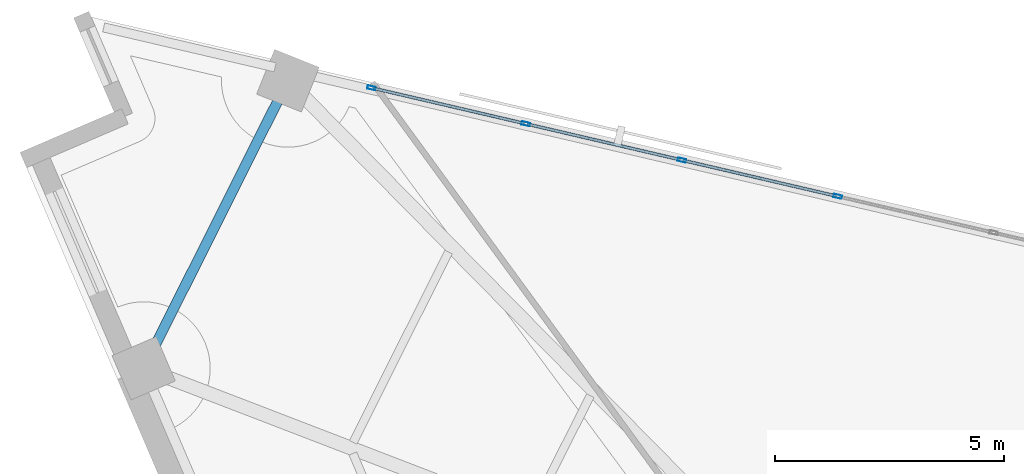
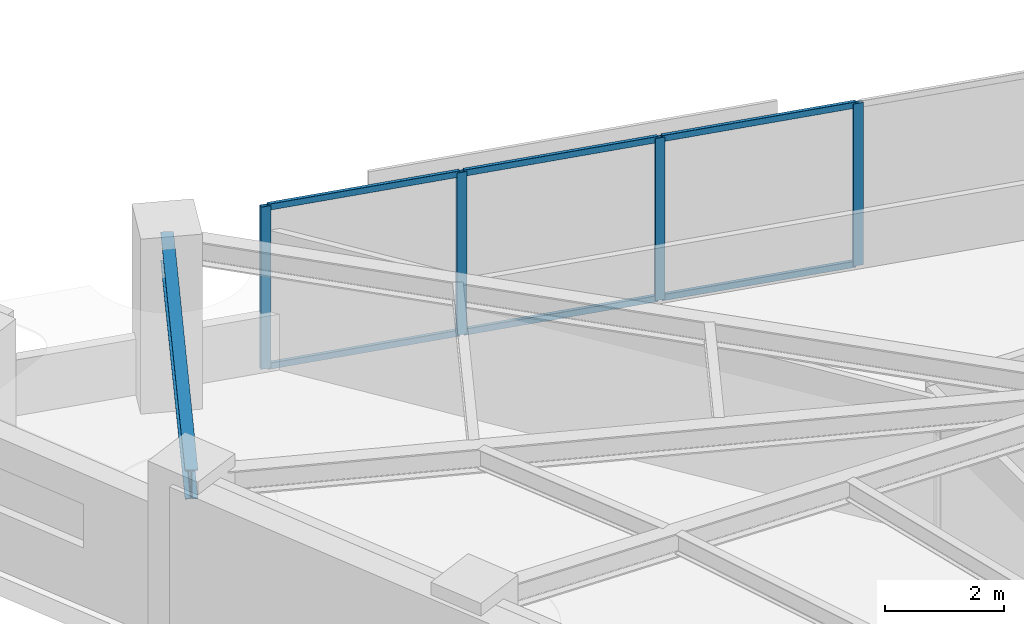
# One storey, part 6 of 13: 10 members, 1 beam, 1 element without a shape of its own.
"""IFC4 building model written with IfcOpenShell, lengths in metres."""

from ifc_helpers import new_model, si_unit, direction, frame, origin, origin_2d, place, context, subcontext, project, spatial, hollow_rectangle, i_section, extrude, material, material_profile, profile_set, type_object, element, aggregate, save


model = new_model("IFC4")

# Units and contexts
model_context = context("Model", 3, precision=1e-05, world=origin(), true_north=direction((0.0, 1.0)))
body_context = subcontext(model_context, "Body", "Model", "MODEL_VIEW")
ifc_project = project(units=[si_unit("LENGTHUNIT", "METRE"), si_unit("AREAUNIT", "SQUARE_METRE"), si_unit("VOLUMEUNIT", "CUBIC_METRE"), si_unit("PLANEANGLEUNIT", "RADIAN"), si_unit("MASSUNIT", "GRAM", prefix="KILO")], contexts=[model_context])

# Site, building, storey
site_placement = place(None, origin())
site = spatial("IfcSite", under=ifc_project, at=site_placement, CompositionType="ELEMENT")
building_placement = place(site_placement, origin())
building = spatial("IfcBuilding", under=site, at=building_placement, Name="Narakoshi Arena Tower", CompositionType="ELEMENT")
storey_placement = place(building_placement, frame((0.0, 0.0, 164.699951171875)))
storey = spatial("IfcBuildingStorey", under=building, at=storey_placement, Name="L44", CompositionType="ELEMENT", Elevation=164.699951171875)

# Beam
ifc_material_1 = material(Name="Structural steel S355J2", Category="steel")
ifc_material_profile_1 = material_profile(ifc_material_1, i_section(OverallWidth=0.219970703125, OverallDepth=0.60009765625, WebThickness=0.011962890625, FlangeThickness=0.01904296875, FilletRadius=0.02392578125, at=origin_2d()), Name="IPE600")
ifc_profile_set_1 = profile_set([ifc_material_profile_1], Name="Structural steel S355J2")
beam_type = type_object("IfcBeamType", Name="BM-EDGE-600", PredefinedType="BEAM", material=ifc_profile_set_1)
beam_placement = place(storey_placement, frame((60.12158203125, 68.55126953125, 3.0400390625), z_axis=(-0.448312643015, -0.893876822674, 0.0), x_axis=(0.893876822674, -0.448312643015, 0.0)))
element("IfcBeam", 1, at=beam_placement, inside=storey, type_object=beam_type, Name="L44 Perimeter Edge Girder 07", PredefinedType="BEAM", context=body_context, shape_type="SweptSolid", body=[
    extrude(i_section(OverallWidth=0.219970703125, OverallDepth=0.60009765625, WebThickness=0.011962890625, FlangeThickness=0.01904296875, FilletRadius=0.02392578125, at=origin_2d()), origin(), (0.0, 0.0, 1.0), 7.017333984375),
])

# Curtain wall, members
ifc_material_2 = material(Name="Anodised bronze aluminium 6063-T6", Category="aluminium")
curtain_wall_type = type_object("IfcCurtainWallType", Name="CW-HYP-MID", PredefinedType="NOTDEFINED", material=ifc_material_2)
curtain_wall_placement = place(storey_placement, origin())
curtain_wall = element("IfcCurtainWall", 2, at=curtain_wall_placement, inside=storey, type_object=curtain_wall_type, Name="L44 Folded Hypotenuse Curtain Wall 2-1", PredefinedType="NOTDEFINED")
ifc_material_profile_2 = material_profile(ifc_material_2, hollow_rectangle(XDim=0.074951171875, YDim=0.179931640625, WallThickness=0.00390625, OuterFilletRadius=0.0048828125, at=origin_2d()), Name="MUL180x75x4")
ifc_profile_set_2 = profile_set([ifc_material_profile_2], Name="Anodised bronze aluminium 6063-T6")
member_type_1 = type_object("IfcMemberType", Name="MEM-MUL-180", PredefinedType="MULLION", material=ifc_profile_set_2)
member_1_placement = place(storey_placement, frame((72.109619140625, 66.027587890625, 0.0), z_axis=(0.0, 0.0, 1.0), x_axis=(-0.226721182724, -0.973959704148, 0.0)))
member_1 = element("IfcMember", 3, at=member_1_placement, type_object=member_type_1, Name="CW-02 mullion 5", PredefinedType="MULLION", context=body_context, shape_type="SweptSolid", body=[
    extrude(hollow_rectangle(XDim=0.074951171875, YDim=0.179931640625, WallThickness=0.00390625, OuterFilletRadius=0.0048828125, at=origin_2d()), origin(), (0.0, 0.0, 1.0), 3.340087890625),
])
member_2_placement = place(storey_placement, frame((68.708740234375, 66.8193359375, 0.0), z_axis=(0.0, 0.0, 1.0), x_axis=(-0.226721182724, -0.973959704148, 0.0)))
member_2 = element("IfcMember", 4, at=member_2_placement, type_object=member_type_1, Name="CW-02 mullion 6", PredefinedType="MULLION", context=body_context, shape_type="SweptSolid", body=[
    extrude(hollow_rectangle(XDim=0.074951171875, YDim=0.179931640625, WallThickness=0.00390625, OuterFilletRadius=0.0048828125, at=origin_2d()), origin(), (0.0, 0.0, 1.0), 3.340087890625),
])
member_3_placement = place(storey_placement, frame((65.307861328125, 67.611083984375, 0.0), z_axis=(0.0, 0.0, 1.0), x_axis=(-0.226721182724, -0.973959704148, 0.0)))
member_3 = element("IfcMember", 5, at=member_3_placement, type_object=member_type_1, Name="CW-02 mullion 7", PredefinedType="MULLION", context=body_context, shape_type="SweptSolid", body=[
    extrude(hollow_rectangle(XDim=0.074951171875, YDim=0.179931640625, WallThickness=0.00390625, OuterFilletRadius=0.0048828125, at=origin_2d()), origin(), (0.0, 0.0, 1.0), 3.340087890625),
])
member_4_placement = place(storey_placement, frame((61.943359375, 68.394287109375, 0.0), z_axis=(0.0, 0.0, 1.0), x_axis=(-0.226721182724, -0.973959704148, 0.0)))
member_4 = element("IfcMember", 6, at=member_4_placement, type_object=member_type_1, Name="CW-02 mullion 8", PredefinedType="MULLION", context=body_context, shape_type="SweptSolid", body=[
    extrude(hollow_rectangle(XDim=0.074951171875, YDim=0.179931640625, WallThickness=0.00390625, OuterFilletRadius=0.0048828125, at=origin_2d()), origin(), (0.0, 0.0, 1.0), 3.340087890625),
])
ifc_material_profile_3 = material_profile(ifc_material_2, hollow_rectangle(XDim=0.06494140625, YDim=0.1298828125, WallThickness=0.00390625, OuterFilletRadius=0.0048828125, at=origin_2d()), Name="TRN130x65x4")
ifc_profile_set_3 = profile_set([ifc_material_profile_3], Name="Anodised bronze aluminium 6063-T6")
member_type_2 = type_object("IfcMemberType", Name="MEM-TRN-130", PredefinedType="USERDEFINED", material=ifc_profile_set_3)
member_5_placement = place(storey_placement, frame((72.072998046875, 66.0361328125, 0.032470703125), z_axis=(-0.973960713384, 0.226716847155, 0.0), x_axis=(-0.226716847155, -0.973960713384, 0.0)))
member_5 = element("IfcMember", 7, at=member_5_placement, type_object=member_type_2, Name="CW-02 transom 5.1", ObjectType="TRANSOM", PredefinedType="USERDEFINED", context=body_context, shape_type="SweptSolid", body=[
    extrude(hollow_rectangle(XDim=0.06494140625, YDim=0.1298828125, WallThickness=0.00390625, OuterFilletRadius=0.0048828125, at=origin_2d()), origin(), (0.0, 0.0, 1.0), 3.416748046875),
])
member_6_placement = place(storey_placement, frame((72.072998046875, 66.0361328125, 3.3076171875), z_axis=(-0.973960713384, 0.226716847155, 0.0), x_axis=(-0.226716847155, -0.973960713384, 0.0)))
member_6 = element("IfcMember", 8, at=member_6_placement, type_object=member_type_2, Name="CW-02 transom 5.2", ObjectType="TRANSOM", PredefinedType="USERDEFINED", context=body_context, shape_type="SweptSolid", body=[
    extrude(hollow_rectangle(XDim=0.06494140625, YDim=0.1298828125, WallThickness=0.00390625, OuterFilletRadius=0.0048828125, at=origin_2d()), origin(), (0.0, 0.0, 1.0), 3.416748046875),
])
member_7_placement = place(storey_placement, frame((68.672119140625, 66.827880859375, 0.032470703125), z_axis=(-0.973960713384, 0.226716847155, 0.0), x_axis=(-0.226716847155, -0.973960713384, 0.0)))
member_7 = element("IfcMember", 9, at=member_7_placement, type_object=member_type_2, Name="CW-02 transom 6.1", ObjectType="TRANSOM", PredefinedType="USERDEFINED", context=body_context, shape_type="SweptSolid", body=[
    extrude(hollow_rectangle(XDim=0.06494140625, YDim=0.1298828125, WallThickness=0.00390625, OuterFilletRadius=0.0048828125, at=origin_2d()), origin(), (0.0, 0.0, 1.0), 3.416748046875),
])
member_8_placement = place(storey_placement, frame((68.672119140625, 66.827880859375, 3.3076171875), z_axis=(-0.973960713384, 0.226716847155, 0.0), x_axis=(-0.226716847155, -0.973960713384, 0.0)))
member_8 = element("IfcMember", 10, at=member_8_placement, type_object=member_type_2, Name="CW-02 transom 6.2", ObjectType="TRANSOM", PredefinedType="USERDEFINED", context=body_context, shape_type="SweptSolid", body=[
    extrude(hollow_rectangle(XDim=0.06494140625, YDim=0.1298828125, WallThickness=0.00390625, OuterFilletRadius=0.0048828125, at=origin_2d()), origin(), (0.0, 0.0, 1.0), 3.416748046875),
])
member_9_placement = place(storey_placement, frame((65.271240234375, 67.61962890625, 0.032470703125), z_axis=(-0.97396204172, 0.226711140636, 0.0), x_axis=(-0.226711140636, -0.97396204172, 0.0)))
member_9 = element("IfcMember", 11, at=member_9_placement, type_object=member_type_2, Name="CW-02 transom 7.1", ObjectType="TRANSOM", PredefinedType="USERDEFINED", context=body_context, shape_type="SweptSolid", body=[
    extrude(hollow_rectangle(XDim=0.06494140625, YDim=0.1298828125, WallThickness=0.00390625, OuterFilletRadius=0.0048828125, at=origin_2d()), origin(), (0.0, 0.0, 1.0), 3.379150390625),
])
member_10_placement = place(storey_placement, frame((65.271240234375, 67.61962890625, 3.3076171875), z_axis=(-0.97396204172, 0.226711140636, 0.0), x_axis=(-0.226711140636, -0.97396204172, 0.0)))
member_10 = element("IfcMember", 12, at=member_10_placement, type_object=member_type_2, Name="CW-02 transom 7.2", ObjectType="TRANSOM", PredefinedType="USERDEFINED", context=body_context, shape_type="SweptSolid", body=[
    extrude(hollow_rectangle(XDim=0.06494140625, YDim=0.1298828125, WallThickness=0.00390625, OuterFilletRadius=0.0048828125, at=origin_2d()), origin(), (0.0, 0.0, 1.0), 3.379150390625),
])
aggregate(curtain_wall, [member_1, member_2, member_3, member_4, member_5, member_6, member_7, member_8, member_9, member_10])

save(model, "model.ifc")
